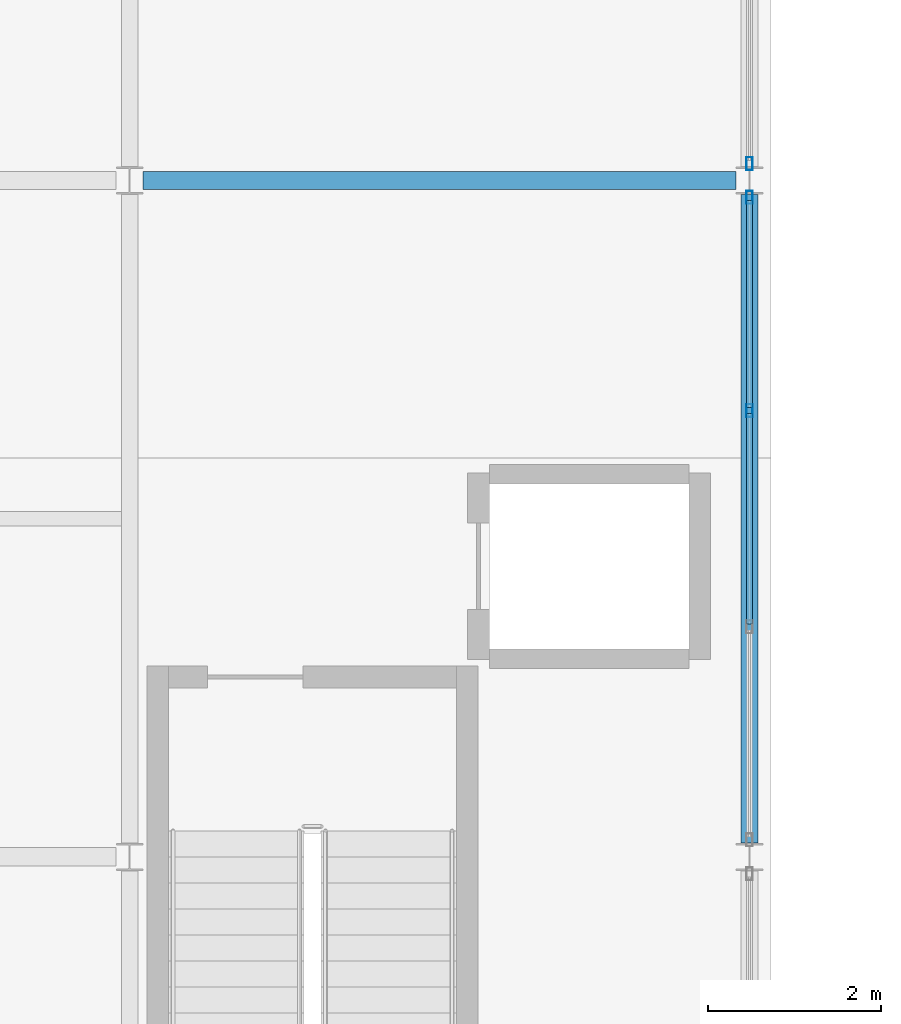
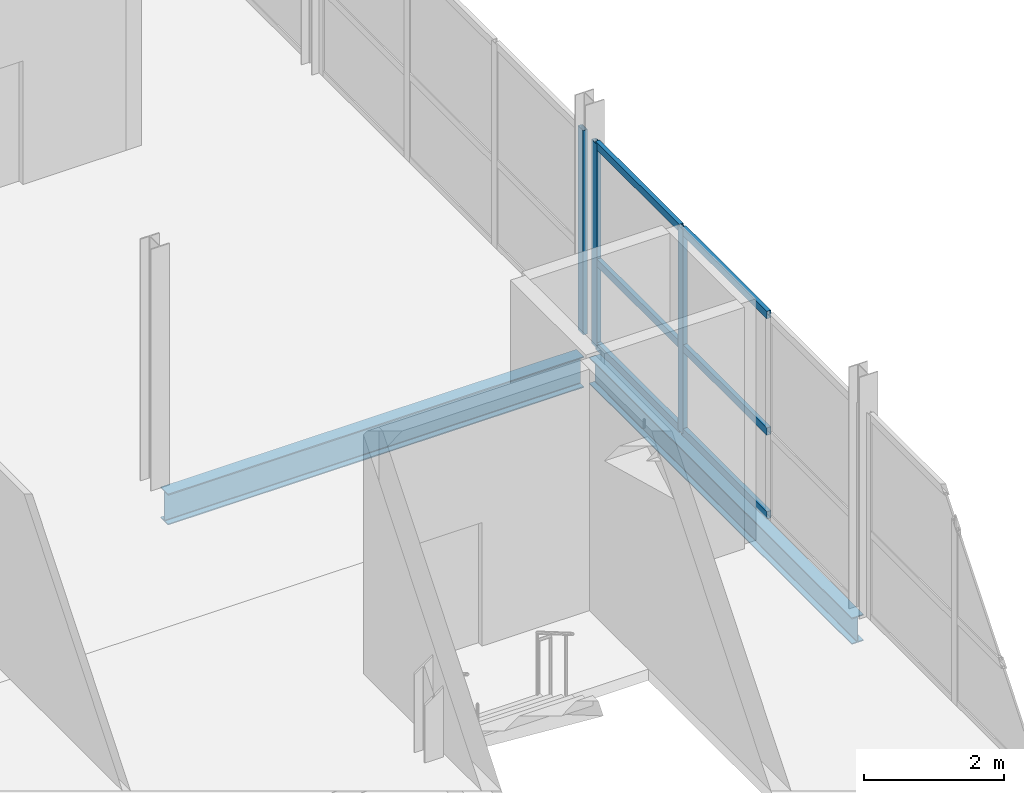
# One storey, part 10 of 60: 9 members, 2 beams, 2 elements without a shape of their own.
"""IFC4 building model written with IfcOpenShell, lengths in metres."""

from ifc_helpers import new_model, si_unit, direction, frame, origin, origin_2d, place, context, subcontext, project, spatial, hollow_rectangle, i_section, extrude, material, layer, layer_set, material_profile, profile_set, type_object, element, aggregate, save


model = new_model("IFC4")

# Units and contexts
model_context = context("Model", 3, precision=1e-05, world=origin(), true_north=direction((0.0, 1.0)))
body_context = subcontext(model_context, "Body", "Model", "MODEL_VIEW")
ifc_project = project(units=[si_unit("LENGTHUNIT", "METRE"), si_unit("AREAUNIT", "SQUARE_METRE"), si_unit("VOLUMEUNIT", "CUBIC_METRE"), si_unit("PLANEANGLEUNIT", "RADIAN"), si_unit("MASSUNIT", "GRAM", prefix="KILO")], contexts=[model_context])

# Site, building, storey
site_placement = place(None, origin())
site = spatial("IfcSite", under=ifc_project, at=site_placement, CompositionType="ELEMENT")
building_placement = place(site_placement, origin())
building = spatial("IfcBuilding", under=site, at=building_placement, Name="Quillay Park Conservatory", CompositionType="ELEMENT")
storey_placement = place(building_placement, frame((0.0, 0.0, 9.89990234375)))
storey = spatial("IfcBuildingStorey", under=building, at=storey_placement, Name="L02", CompositionType="ELEMENT", Elevation=9.89990234375)

# Curtain wall, members
ifc_material_1 = material(Name="Thermally Broken Anodised Aluminium 6063-T6", Category="aluminium")
ifc_layer = layer(ifc_material_1, 0.1650390625)
ifc_layer_set = layer_set([ifc_layer], Name="UNITISED CURTAIN WALL PODIUM (Thermally Broken Anodised Aluminium 6063-T6)")
curtain_wall_type = type_object("IfcCurtainWallType", Name="UNITISED CURTAIN WALL PODIUM", PredefinedType="USERDEFINED", material=ifc_layer_set)
curtain_wall_1_placement = place(storey_placement, origin())
curtain_wall_1 = element("IfcCurtainWall", 1, at=curtain_wall_1_placement, inside=storey, type_object=curtain_wall_type, Name="L02 Unitised Curtain Wall 206", ObjectType="UNITISED CURTAIN WALL", PredefinedType="USERDEFINED")
ifc_material_2 = material(Name="Thermally Broken Anodised Aluminium 6063-T6", Category="aluminium")
ifc_material_profile_1 = material_profile(ifc_material_2, hollow_rectangle(XDim=0.070068359375, YDim=0.14990234375, WallThickness=0.00341796875, at=origin_2d()), Name="AL70x150x3.5")
ifc_profile_set_1 = profile_set([ifc_material_profile_1], Name="Thermally Broken Anodised Aluminium 6063-T6")
member_type_1 = type_object("IfcMemberType", Name="CURTAIN WALL MULLION 70 X150", PredefinedType="MULLION", material=ifc_profile_set_1)
member_1_placement = place(storey_placement, frame((22.14990234375, 31.0048828125, 0.0), z_axis=(0.0, 0.0, 1.0), x_axis=(1.0, 0.0, 0.0)))
member_1 = element("IfcMember", 2, at=member_1_placement, type_object=member_type_1, Name="CW-P1 mullion 1", PredefinedType="MULLION", context=body_context, shape_type="SweptSolid", body=[
    extrude(hollow_rectangle(XDim=0.070068359375, YDim=0.14990234375, WallThickness=0.00341796875, at=origin_2d()), origin(), (0.0, 0.0, 1.0), 3.55419921875),
])
member_2_placement = place(storey_placement, frame((22.14990234375, 28.546630859375, 0.0), z_axis=(0.0, 0.0, 1.0), x_axis=(1.0, 0.0, 0.0)))
member_2 = element("IfcMember", 3, at=member_2_placement, type_object=member_type_1, Name="CW-P1 mullion 2", PredefinedType="MULLION", context=body_context, shape_type="SweptSolid", body=[
    extrude(hollow_rectangle(XDim=0.070068359375, YDim=0.14990234375, WallThickness=0.00341796875, at=origin_2d()), origin(), (0.0, 0.0, 1.0), 3.55419921875),
])

# Curtain wall, member
curtain_wall_2_placement = place(storey_placement, origin())
curtain_wall_2 = element("IfcCurtainWall", 4, at=curtain_wall_2_placement, inside=storey, type_object=curtain_wall_type, Name="L02 Unitised Curtain Wall 207", ObjectType="UNITISED CURTAIN WALL", PredefinedType="USERDEFINED")
member_3_placement = place(storey_placement, frame((22.14990234375, 31.39501953125, 0.0), z_axis=(0.0, 0.0, 1.0), x_axis=(1.0, 0.0, 0.0)))
member_3 = element("IfcMember", 5, at=member_3_placement, type_object=member_type_1, Name="CW-P1 mullion 4", PredefinedType="MULLION", context=body_context, shape_type="SweptSolid", body=[
    extrude(hollow_rectangle(XDim=0.070068359375, YDim=0.14990234375, WallThickness=0.00341796875, at=origin_2d()), origin(), (0.0, 0.0, 1.0), 3.55419921875),
])
aggregate(curtain_wall_2, [member_3])

# Member
ifc_material_3 = material(Name="Thermally Broken Anodised Aluminium 6063-T6", Category="aluminium")
ifc_material_profile_2 = material_profile(ifc_material_3, hollow_rectangle(XDim=0.070068359375, YDim=0.1298828125, WallThickness=0.003173828125, at=origin_2d()), Name="AL70x130x3.2")
ifc_profile_set_2 = profile_set([ifc_material_profile_2], Name="Thermally Broken Anodised Aluminium 6063-T6")
member_type_2 = type_object("IfcMemberType", Name="CURTAIN WALL TRANSOM 70 X130", PredefinedType="USERDEFINED", material=ifc_profile_set_2)
member_4_placement = place(storey_placement, frame((22.14990234375, 30.969970703125, 0.03515625), z_axis=(0.0, -1.0, 0.0), x_axis=(1.0, 0.0, 0.0)))
member_4 = element("IfcMember", 6, at=member_4_placement, type_object=member_type_2, Name="CW-P1 transom 1.1", ObjectType="TRANSOM", PredefinedType="USERDEFINED", context=body_context, shape_type="SweptSolid", body=[
    extrude(hollow_rectangle(XDim=0.070068359375, YDim=0.1298828125, WallThickness=0.003173828125, at=origin_2d()), origin(), (0.0, 0.0, 1.0), 2.38818359375),
])

member_5_placement = place(storey_placement, frame((22.14990234375, 30.969970703125, 1.49267578125), z_axis=(0.0, -1.0, 0.0), x_axis=(1.0, 0.0, 0.0)))
member_5 = element("IfcMember", 7, at=member_5_placement, type_object=member_type_2, Name="CW-P1 transom 1.2", ObjectType="TRANSOM", PredefinedType="USERDEFINED", context=body_context, shape_type="SweptSolid", body=[
    extrude(hollow_rectangle(XDim=0.070068359375, YDim=0.1298828125, WallThickness=0.003173828125, at=origin_2d()), origin(), (0.0, 0.0, 1.0), 2.38818359375),
])

member_6_placement = place(storey_placement, frame((22.14990234375, 30.969970703125, 3.51904296875), z_axis=(0.0, -1.0, 0.0), x_axis=(1.0, 0.0, 0.0)))
member_6 = element("IfcMember", 8, at=member_6_placement, type_object=member_type_2, Name="CW-P1 transom 1.3", ObjectType="TRANSOM", PredefinedType="USERDEFINED", context=body_context, shape_type="SweptSolid", body=[
    extrude(hollow_rectangle(XDim=0.070068359375, YDim=0.1298828125, WallThickness=0.003173828125, at=origin_2d()), origin(), (0.0, 0.0, 1.0), 2.38818359375),
])

member_7_placement = place(storey_placement, frame((22.14990234375, 28.51171875, 0.03515625), z_axis=(0.0, -1.0, 0.0), x_axis=(1.0, 0.0, 0.0)))
member_7 = element("IfcMember", 9, at=member_7_placement, type_object=member_type_2, Name="CW-P1 transom 2.1", ObjectType="TRANSOM", PredefinedType="USERDEFINED", context=body_context, shape_type="SweptSolid", body=[
    extrude(hollow_rectangle(XDim=0.070068359375, YDim=0.1298828125, WallThickness=0.003173828125, at=origin_2d()), origin(), (0.0, 0.0, 1.0), 2.42333984375),
])

member_8_placement = place(storey_placement, frame((22.14990234375, 28.51171875, 1.49267578125), z_axis=(0.0, -1.0, 0.0), x_axis=(1.0, 0.0, 0.0)))
member_8 = element("IfcMember", 10, at=member_8_placement, type_object=member_type_2, Name="CW-P1 transom 2.2", ObjectType="TRANSOM", PredefinedType="USERDEFINED", context=body_context, shape_type="SweptSolid", body=[
    extrude(hollow_rectangle(XDim=0.070068359375, YDim=0.1298828125, WallThickness=0.003173828125, at=origin_2d()), origin(), (0.0, 0.0, 1.0), 2.42333984375),
])

member_9_placement = place(storey_placement, frame((22.14990234375, 28.51171875, 3.51904296875), z_axis=(0.0, -1.0, 0.0), x_axis=(1.0, 0.0, 0.0)))
member_9 = element("IfcMember", 11, at=member_9_placement, type_object=member_type_2, Name="CW-P1 transom 2.3", ObjectType="TRANSOM", PredefinedType="USERDEFINED", context=body_context, shape_type="SweptSolid", body=[
    extrude(hollow_rectangle(XDim=0.070068359375, YDim=0.1298828125, WallThickness=0.003173828125, at=origin_2d()), origin(), (0.0, 0.0, 1.0), 2.42333984375),
])

aggregate(curtain_wall_1, [member_1, member_2, member_4, member_5, member_6, member_7, member_8, member_9])

# Beams
ifc_material_4 = material(Name="Steel ASTM A992 Grade 50", Category="steel")
ifc_material_profile_3 = material_profile(ifc_material_4, i_section(OverallWidth=0.19189453125, OverallDepth=0.462890625, WebThickness=0.010498046875, FlangeThickness=0.017578125, FilletRadius=0.012939453125, at=origin_2d()), Name="W460x89")
ifc_profile_set_3 = profile_set([ifc_material_profile_3], Name="Steel ASTM A992 Grade 50")
beam_type_1 = type_object("IfcBeamType", Name="PRIMARY FLOOR GIRDER W460 X89", PredefinedType="BEAM", material=ifc_profile_set_3)
beam_1_placement = place(storey_placement, frame((22.14990234375, 23.5615234375, -0.426513671875), z_axis=(0.0, 1.0, 0.0), x_axis=(-1.0, 0.0, 0.0)))
element("IfcBeam", 12, at=beam_1_placement, inside=storey, type_object=beam_type_1, Name="L02 beam BM-V3Y-1374", PredefinedType="BEAM", context=body_context, shape_type="SweptSolid", body=[
    extrude(i_section(OverallWidth=0.19189453125, OverallDepth=0.462890625, WebThickness=0.010498046875, FlangeThickness=0.017578125, FilletRadius=0.012939453125, at=origin_2d()), origin(), (0.0, 0.0, 1.0), 7.47705078125),
])
ifc_material_5 = material(Name="Steel ASTM A992 Grade 50", Category="steel")
ifc_material_profile_4 = material_profile(ifc_material_5, i_section(OverallWidth=0.2109375, OverallDepth=0.5390625, WebThickness=0.01171875, FlangeThickness=0.018798828125, FilletRadius=0.013916015625, at=origin_2d()), Name="W530x109")
ifc_profile_set_4 = profile_set([ifc_material_profile_4], Name="Steel ASTM A992 Grade 50")
beam_type_2 = type_object("IfcBeamType", Name="PRIMARY FLOOR GIRDER W530 X109", PredefinedType="BEAM", material=ifc_profile_set_4)
beam_2_placement = place(storey_placement, frame((15.154541015625, 31.199951171875, -0.46435546875), z_axis=(1.0, 0.0, 0.0), x_axis=(0.0, 1.0, 0.0)))
element("IfcBeam", 13, at=beam_2_placement, inside=storey, type_object=beam_type_2, Name="L02 beam BM-V3X-1341", PredefinedType="BEAM", context=body_context, shape_type="SweptSolid", body=[
    extrude(i_section(OverallWidth=0.2109375, OverallDepth=0.5390625, WebThickness=0.01171875, FlangeThickness=0.018798828125, FilletRadius=0.013916015625, at=origin_2d()), origin(), (0.0, 0.0, 1.0), 6.841064453125),
])

save(model, "model.ifc")
